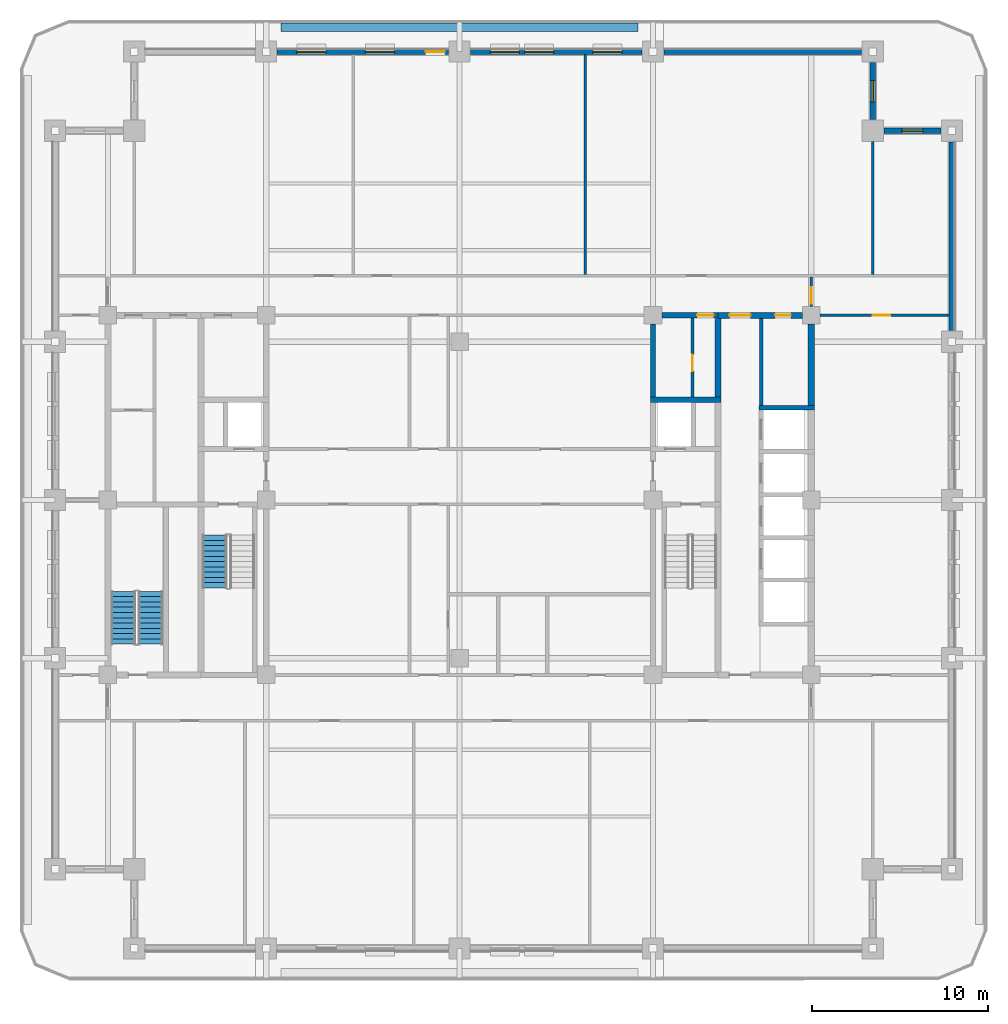
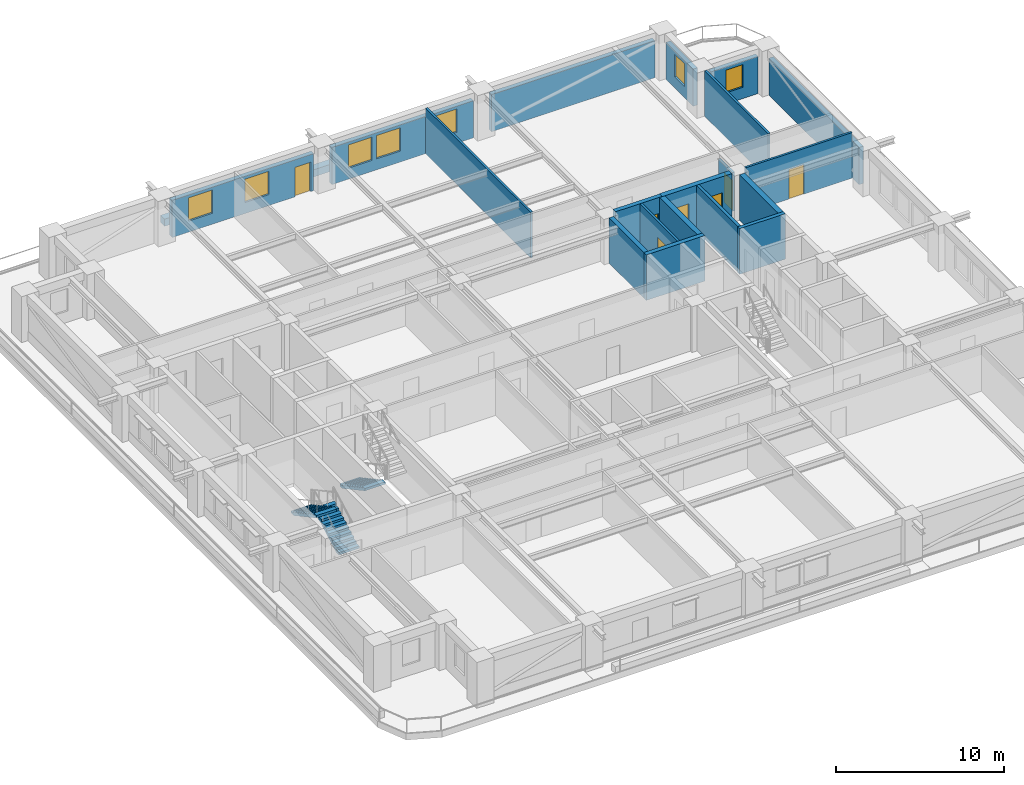
# One storey, part 6 of 14: 20 walls, 7 doors, 7 windows, 3 stair flights, 14 openings, 2 elements without a shape of their own.
"""IFC4 building model written with IfcOpenShell, lengths in metres."""

from ifc_helpers import new_model, si_unit, direction, frame, frame_2d, origin, place, context, subcontext, project, spatial, polyline, rectangle, outline, extrude, material, layer, layer_set, type_object, element, fill, aggregate, save


model = new_model("IFC4")

# Units and contexts
model_context = context("Model", 3, precision=1e-05, world=origin(), true_north=direction((0.0, 1.0)))
body_context = subcontext(model_context, "Body", "Model", "MODEL_VIEW")
ifc_project = project(units=[si_unit("LENGTHUNIT", "METRE"), si_unit("AREAUNIT", "SQUARE_METRE"), si_unit("VOLUMEUNIT", "CUBIC_METRE"), si_unit("PLANEANGLEUNIT", "RADIAN"), si_unit("MASSUNIT", "GRAM", prefix="KILO")], contexts=[model_context])

# Site, building, storey
site_placement = place(None, origin())
site = spatial("IfcSite", under=ifc_project, at=site_placement, CompositionType="ELEMENT")
building_placement = place(site_placement, origin())
building = spatial("IfcBuilding", under=site, at=building_placement, Name="Zulmaris Gate Convention Tower", CompositionType="ELEMENT")
storey_placement = place(building_placement, frame((0.0, 0.0, 98.5)))
storey = spatial("IfcBuildingStorey", under=building, at=storey_placement, Name="L24", CompositionType="ELEMENT", Elevation=98.5)

# Walls
ifc_material_1 = material(Name="Concrete C50/60", Category="concrete")
ifc_layer_1 = layer(ifc_material_1, 0.25, Name="Concrete C50/60")
ifc_layer_set_1 = layer_set([ifc_layer_1], Name="Concrete C50/60")
wall_type_1 = type_object("IfcWallType", Name="CORE-250", PredefinedType="SOLIDWALL", material=ifc_layer_set_1)
wall_1_placement = place(storey_placement, frame((17.02490234375, 5.25, 0.0), z_axis=(0.0, 0.0, 1.0), x_axis=(1.0, 0.0, 0.0)))
element("IfcWall", 1, at=wall_1_placement, inside=storey, type_object=wall_type_1, Name="WL-L24-014", PredefinedType="SOLIDWALL", context=body_context, shape_type="SweptSolid", body=[
    extrude(rectangle(XDim=3.150146484375, YDim=0.25, at=frame_2d((1.5751953125, 0.0))), origin(), (0.0, 0.0, 1.0), 3.31982421875),
])
ifc_layer_2 = layer(ifc_material_1, 0.300048828125, Name="Concrete C50/60")
ifc_layer_set_2 = layer_set([ifc_layer_2], Name="Concrete C50/60")
wall_type_2 = type_object("IfcWallType", Name="CORE-300", PredefinedType="SHEAR", material=ifc_layer_set_2)
wall_2_placement = place(storey_placement, frame((10.85009765625, 5.699951171875, 0.0), z_axis=(0.0, 0.0, 1.0), x_axis=(1.0, 0.0, 0.0)))
element("IfcWall", 2, at=wall_2_placement, inside=storey, type_object=wall_type_2, Name="WL-L24-016", PredefinedType="SHEAR", context=body_context, shape_type="SweptSolid", body=[
    extrude(rectangle(XDim=4.02490234375, YDim=0.300048828125, at=frame_2d((2.012451171875, 0.0))), origin(), (0.0, 0.0, 1.0), 3.31982421875),
])

# Wall, opening, door
wall_3_placement = place(storey_placement, frame((11.50390625, 10.5, 0.0), z_axis=(0.0, 0.0, 1.0), x_axis=(1.0, 0.0, 0.0)))
wall_3 = element("IfcWall", 3, at=wall_3_placement, inside=storey, type_object=wall_type_2, Name="WL-L24-019", PredefinedType="SHEAR", context=body_context, shape_type="SweptSolid", body=[
    extrude(rectangle(XDim=3.196044921875, YDim=0.300048828125, at=frame_2d((1.59814453125, 0.0))), origin(), (0.0, 0.0, 1.0), 3.31982421875),
])
opening_1_placement = place(wall_3_placement, frame((2.0009765625, 0.0, 0.0)))
opening_1 = element("IfcOpeningElement", 4, at=opening_1_placement, cuts=wall_3, Name="Opening D-11", PredefinedType="OPENING", context=body_context, shape_type="SweptSolid", body=[
    extrude(rectangle(XDim=0.949951171875, YDim=2.14990234375, at=frame_2d((0.47509765625, 1.074951171875))), frame((0.0, 0.16015625, 0.0), z_axis=(0.0, -1.0, 0.0), x_axis=(1.0, 0.0, 0.0)), (0.0, 0.0, 1.0), 0.320068359375),
])
ifc_material_2 = material(Name="Fire-Rated Timber", Category="wood")
door_type_1 = type_object("IfcDoorType", Name="DR-950-FD", OperationType="NOTDEFINED", PredefinedType="DOOR", material=ifc_material_2)
door_1_placement = place(opening_1_placement, origin())
door_1 = element("IfcDoor", 5, at=door_1_placement, inside=storey, type_object=door_type_1, Name="L24 Core Linen Closet Door 08", OperationType="SINGLE_SWING_LEFT", OverallHeight=2.14990234375, OverallWidth=0.949951171875, PredefinedType="DOOR", context=body_context, shape_type="SweptSolid", body=[
    extrude(rectangle(XDim=0.949951171875, YDim=2.14990234375, at=frame_2d((0.47509765625, 1.074951171875))), frame((0.0, 0.02490234375, 0.0), z_axis=(0.0, -1.0, 0.0), x_axis=(1.0, 0.0, 0.0)), (0.0, 0.0, 1.0), 0.050048828125),
])
fill(opening_1, door_1)

# Wall
wall_4_placement = place(storey_placement, frame((11.0, 5.85205078125, 0.0), z_axis=(0.0, 0.0, 1.0), x_axis=(0.0, 1.0, 0.0)))
element("IfcWall", 6, at=wall_4_placement, inside=storey, type_object=wall_type_2, Name="WL-L24-050", PredefinedType="SHEAR", context=body_context, shape_type="SweptSolid", body=[
    extrude(rectangle(XDim=4.14404296875, YDim=0.300048828125, at=frame_2d((2.072021484375, 0.0))), origin(), (0.0, 0.0, 1.0), 3.31982421875),
])

# Wall, openings, doors
ifc_material_3 = material(Name="Concrete C55/67", Category="concrete")
ifc_layer_3 = layer(ifc_material_3, 0.35009765625, Name="Concrete C55/67")
ifc_layer_set_3 = layer_set([ifc_layer_3], Name="Concrete C55/67")
wall_type_3 = type_object("IfcWallType", Name="CORE-350", PredefinedType="SHEAR", material=ifc_layer_set_3)
wall_5_placement = place(storey_placement, frame((14.699951171875, 10.5, 0.0), z_axis=(0.0, 0.0, 1.0), x_axis=(1.0, 0.0, 0.0)))
wall_5 = element("IfcWall", 7, at=wall_5_placement, inside=storey, type_object=wall_type_3, Name="WL-L24-020", PredefinedType="SHEAR", context=body_context, shape_type="SweptSolid", body=[
    extrude(rectangle(XDim=4.796142578125, YDim=0.35009765625, at=frame_2d((2.39794921875, 0.0))), origin(), (0.0, 0.0, 1.0), 3.31982421875),
])
opening_2_placement = place(wall_5_placement, frame((0.64990234375, 0.0, 0.0)))
opening_2 = element("IfcOpeningElement", 8, at=opening_2_placement, cuts=wall_5, Name="Opening D-13", PredefinedType="OPENING", context=body_context, shape_type="SweptSolid", body=[
    extrude(rectangle(XDim=1.199951171875, YDim=2.14990234375, at=frame_2d((0.60009765625, 1.074951171875))), frame((0.0, 0.18505859375, 0.0), z_axis=(0.0, -1.0, 0.0), x_axis=(1.0, 0.0, 0.0)), (0.0, 0.0, 1.0), 0.3701171875),
])
opening_3_placement = place(wall_5_placement, frame((3.25, 0.0, 0.0)))
opening_3 = element("IfcOpeningElement", 9, at=opening_3_placement, cuts=wall_5, Name="Opening D-12", PredefinedType="OPENING", context=body_context, shape_type="SweptSolid", body=[
    extrude(rectangle(XDim=0.89990234375, YDim=2.14990234375, at=frame_2d((0.449951171875, 1.074951171875))), frame((0.0, 0.18505859375, 0.0), z_axis=(0.0, -1.0, 0.0), x_axis=(1.0, 0.0, 0.0)), (0.0, 0.0, 1.0), 0.3701171875),
])
ifc_material_4 = material(Name="Fire-Rated Steel", Category="steel")
door_type_2 = type_object("IfcDoorType", Name="DR-1200-FD", OperationType="NOTDEFINED", PredefinedType="DOOR", material=ifc_material_4)
door_2_placement = place(opening_2_placement, origin())
door_2 = element("IfcDoor", 10, at=door_2_placement, inside=storey, type_object=door_type_2, Name="L24 East Lift Lobby North Door 19", OperationType="SINGLE_SWING_RIGHT", OverallHeight=2.14990234375, OverallWidth=1.199951171875, PredefinedType="DOOR", context=body_context, shape_type="SweptSolid", body=[
    extrude(rectangle(XDim=1.199951171875, YDim=2.14990234375, at=frame_2d((0.60009765625, 1.074951171875))), frame((0.0, 0.02490234375, 0.0), z_axis=(0.0, -1.0, 0.0), x_axis=(1.0, 0.0, 0.0)), (0.0, 0.0, 1.0), 0.050048828125),
])
fill(opening_2, door_2)
door_type_3 = type_object("IfcDoorType", Name="DR-900-FD", OperationType="NOTDEFINED", PredefinedType="DOOR", material=ifc_material_2)
door_3_placement = place(opening_3_placement, origin())
door_3 = element("IfcDoor", 11, at=door_3_placement, inside=storey, type_object=door_type_3, Name="L24 Mid-Rise Archive Door 20", OperationType="SINGLE_SWING_LEFT", OverallHeight=2.14990234375, OverallWidth=0.89990234375, PredefinedType="DOOR", context=body_context, shape_type="SweptSolid", body=[
    extrude(rectangle(XDim=0.89990234375, YDim=2.14990234375, at=frame_2d((0.449951171875, 1.074951171875))), frame((0.0, 0.02490234375, 0.0), z_axis=(0.0, -1.0, 0.0), x_axis=(1.0, 0.0, 0.0)), (0.0, 0.0, 1.0), 0.050048828125),
])
fill(opening_3, door_3)

# Walls
wall_6_placement = place(storey_placement, frame((14.699951171875, 5.85205078125, 0.0), z_axis=(0.0, 0.0, 1.0), x_axis=(0.0, 1.0, 0.0)))
element("IfcWall", 12, at=wall_6_placement, inside=storey, type_object=wall_type_3, Name="WL-L24-056", PredefinedType="SHEAR", context=body_context, shape_type="SweptSolid", body=[
    extrude(rectangle(XDim=4.470947265625, YDim=0.35009765625, at=frame_2d((2.2353515625, 0.0))), origin(), (0.0, 0.0, 1.0), 3.31982421875),
])
wall_7_placement = place(storey_placement, frame((20.0, 5.376953125, 0.0), z_axis=(0.0, 0.0, 1.0), x_axis=(0.0, 1.0, 0.0)))
element("IfcWall", 13, at=wall_7_placement, inside=storey, type_object=wall_type_3, Name="WL-L24-068", PredefinedType="SHEAR", context=body_context, shape_type="SweptSolid", body=[
    extrude(rectangle(XDim=4.619140625, YDim=0.35009765625, at=frame_2d((2.3095703125, 0.0))), origin(), (0.0, 0.0, 1.0), 3.31982421875),
])

# Wall, opening, door
ifc_material_5 = material(Name="Gypsum Metal Stud Partition")
ifc_layer_4 = layer(ifc_material_5, 0.14990234375, Name="Gypsum Metal Stud Partition")
ifc_layer_set_4 = layer_set([ifc_layer_4], Name="Gypsum Metal Stud Partition")
wall_type_4 = type_object("IfcWallType", Name="PART-150", PredefinedType="PARTITIONING", material=ifc_layer_set_4)
wall_8_placement = place(storey_placement, frame((20.506103515625, 10.5, 0.0), z_axis=(0.0, 0.0, 1.0), x_axis=(1.0, 0.0, 0.0)))
wall_8 = element("IfcWall", 14, at=wall_8_placement, inside=storey, type_object=wall_type_4, Name="WL-L24-032", PredefinedType="PARTITIONING", context=body_context, shape_type="SweptSolid", body=[
    extrude(rectangle(XDim=7.328857421875, YDim=0.14990234375, at=frame_2d((3.66455078125, 0.0))), origin(), (0.0, 0.0, 1.0), 3.31982421875),
])
opening_4_placement = place(wall_8_placement, frame((2.993896484375, 0.0, 0.0)))
opening_4 = element("IfcOpeningElement", 15, at=opening_4_placement, cuts=wall_8, Name="Opening D-10", PredefinedType="OPENING", context=body_context, shape_type="SweptSolid", body=[
    extrude(rectangle(XDim=1.0, YDim=2.14990234375, at=frame_2d((0.5, 1.074951171875))), frame((0.0, 0.0849609375, 0.0), z_axis=(0.0, -1.0, 0.0), x_axis=(1.0, 0.0, 0.0)), (0.0, 0.0, 1.0), 0.169921875),
])
door_type_4 = type_object("IfcDoorType", Name="DR-1000-FD", OperationType="NOTDEFINED", PredefinedType="DOOR", material=ifc_material_2)
door_4_placement = place(opening_4_placement, origin())
door_4 = element("IfcDoor", 16, at=door_4_placement, inside=storey, type_object=door_type_4, Name="L24 East Workplace North Door 45", OperationType="SINGLE_SWING_RIGHT", OverallHeight=2.14990234375, OverallWidth=1.0, PredefinedType="DOOR", context=body_context, shape_type="SweptSolid", body=[
    extrude(rectangle(XDim=1.0, YDim=2.14990234375, at=frame_2d((0.5, 1.074951171875))), frame((0.0, 0.02490234375, 0.0), z_axis=(0.0, -1.0, 0.0), x_axis=(1.0, 0.0, 0.0)), (0.0, 0.0, 1.0), 0.050048828125),
])
fill(opening_4, door_4)

# Wall
wall_9_placement = place(storey_placement, frame((7.14990234375, 12.827880859375, 0.0), z_axis=(0.0, 0.0, 1.0), x_axis=(0.0, 1.0, 0.0)))
element("IfcWall", 17, at=wall_9_placement, inside=storey, type_object=wall_type_4, Name="WL-L24-085", PredefinedType="PARTITIONING", context=body_context, shape_type="SweptSolid", body=[
    extrude(rectangle(XDim=12.507080078125, YDim=0.14990234375, at=frame_2d((6.25341796875, 0.0))), origin(), (0.0, 0.0, 1.0), 3.31982421875),
])

# Wall, opening, door
wall_10_placement = place(storey_placement, frame((13.25, 5.85302734375, 0.0), z_axis=(0.0, 0.0, 1.0), x_axis=(0.0, 1.0, 0.0)))
wall_10 = element("IfcWall", 18, at=wall_10_placement, inside=storey, type_object=wall_type_4, Name="WL-L24-087", PredefinedType="PARTITIONING", context=body_context, shape_type="SweptSolid", body=[
    extrude(rectangle(XDim=4.493896484375, YDim=0.14990234375, at=frame_2d((2.2470703125, 0.0))), origin(), (0.0, 0.0, 1.0), 3.31982421875),
])
opening_5_placement = place(wall_10_placement, frame((1.471923828125, 0.0, 0.0)))
opening_5 = element("IfcOpeningElement", 19, at=opening_5_placement, cuts=wall_10, Name="Opening D-11", PredefinedType="OPENING", context=body_context, shape_type="SweptSolid", body=[
    extrude(rectangle(XDim=0.949951171875, YDim=2.14990234375, at=frame_2d((0.47509765625, 1.074951171875))), frame((0.0, 0.0849609375, 0.0), z_axis=(0.0, -1.0, 0.0), x_axis=(1.0, 0.0, 0.0)), (0.0, 0.0, 1.0), 0.169921875),
])
door_5_placement = place(opening_5_placement, origin())
door_5 = element("IfcDoor", 20, at=door_5_placement, inside=storey, type_object=door_type_1, Name="L24 Core Service Pantry Door 09", OperationType="SINGLE_SWING_RIGHT", OverallHeight=2.14990234375, OverallWidth=0.949951171875, PredefinedType="DOOR", context=body_context, shape_type="SweptSolid", body=[
    extrude(rectangle(XDim=0.949951171875, YDim=2.14990234375, at=frame_2d((0.47509765625, 1.074951171875))), frame((0.0, 0.02490234375, 0.0), z_axis=(0.0, -1.0, 0.0), x_axis=(1.0, 0.0, 0.0)), (0.0, 0.0, 1.0), 0.050048828125),
])
fill(opening_5, door_5)

wall_11_placement = place(storey_placement, frame((20.0, 11.006103515625, 0.0), z_axis=(0.0, 0.0, 1.0), x_axis=(0.0, 1.0, 0.0)))
wall_11 = element("IfcWall", 21, at=wall_11_placement, inside=storey, type_object=wall_type_4, Name="WL-L24-090", PredefinedType="PARTITIONING", context=body_context, shape_type="SweptSolid", body=[
    extrude(rectangle(XDim=1.666015625, YDim=0.14990234375, at=frame_2d((0.8330078125, 0.0))), origin(), (0.0, 0.0, 1.0), 2.809814453125),
])
opening_6_placement = place(wall_11_placement, frame((0.14990234375, 0.0, 0.0)))
opening_6 = element("IfcOpeningElement", 22, at=opening_6_placement, cuts=wall_11, Name="Opening D-11", PredefinedType="OPENING", context=body_context, shape_type="SweptSolid", body=[
    extrude(rectangle(XDim=0.949951171875, YDim=2.14990234375, at=frame_2d((0.47509765625, 1.074951171875))), frame((0.0, 0.0849609375, 0.0), z_axis=(0.0, -1.0, 0.0), x_axis=(1.0, 0.0, 0.0)), (0.0, 0.0, 1.0), 0.169921875),
])
door_6_placement = place(opening_6_placement, origin())
door_6 = element("IfcDoor", 23, at=door_6_placement, inside=storey, type_object=door_type_1, Name="L24 NE Spur Door 43", OperationType="SINGLE_SWING_RIGHT", OverallHeight=2.14990234375, OverallWidth=0.949951171875, PredefinedType="DOOR", context=body_context, shape_type="SweptSolid", body=[
    extrude(rectangle(XDim=0.949951171875, YDim=2.14990234375, at=frame_2d((0.47509765625, 1.074951171875))), frame((0.0, 0.02490234375, 0.0), z_axis=(0.0, -1.0, 0.0), x_axis=(1.0, 0.0, 0.0)), (0.0, 0.0, 1.0), 0.050048828125),
])
fill(opening_6, door_6)

# Walls
wall_12_placement = place(storey_placement, frame((23.5, 12.827880859375, 0.0), z_axis=(0.0, 0.0, 1.0), x_axis=(0.0, 1.0, 0.0)))
element("IfcWall", 24, at=wall_12_placement, inside=storey, type_object=wall_type_4, Name="WL-L24-092", PredefinedType="PARTITIONING", context=body_context, shape_type="SweptSolid", body=[
    extrude(rectangle(XDim=7.566162109375, YDim=0.14990234375, at=frame_2d((3.783203125, 0.0))), origin(), (0.0, 0.0, 1.0), 3.31982421875),
])
ifc_material_6 = material(Name="Autoclaved Aerated Concrete Block and Plasterboard", Category="concrete")
ifc_layer_5 = layer(ifc_material_6, 0.199951171875, Name="Autoclaved Aerated Concrete Block and Plasterboard")
ifc_layer_set_5 = layer_set([ifc_layer_5], Name="Autoclaved Aerated Concrete Block and Plasterboard")
wall_type_5 = type_object("IfcWallType", Name="PART-200", PredefinedType="PARTITIONING", material=ifc_layer_set_5)
wall_13_placement = place(storey_placement, frame((17.14990234375, 5.3779296875, 0.0), z_axis=(0.0, 0.0, 1.0), x_axis=(0.0, 1.0, 0.0)))
element("IfcWall", 25, at=wall_13_placement, inside=storey, type_object=wall_type_5, Name="WL-L24-088", PredefinedType="PARTITIONING", context=body_context, shape_type="SweptSolid", body=[
    extrude(rectangle(XDim=4.944091796875, YDim=0.199951171875, at=frame_2d((2.47216796875, 0.0))), origin(), (0.0, 0.0, 1.0), 3.31982421875),
])
ifc_material_7 = material(Name="Botanical Green Glazed Precast Concrete C40/50", Category="concrete")
ifc_layer_6 = layer(ifc_material_7, 0.419921875, Name="Botanical Green Glazed Precast Concrete C40/50")
ifc_layer_set_6 = layer_set([ifc_layer_6], Name="Botanical Green Glazed Precast Concrete C40/50")
wall_type_6 = type_object("IfcWallType", Name="PLANTER-CURB-200", PredefinedType="PARAPET", material=ifc_layer_set_6)
wall_14_placement = place(storey_placement, frame((-10.14990234375, 26.8798828125, -0.0400390625), z_axis=(0.0, 0.0, 1.0), x_axis=(1.0, 0.0, 0.0)))
element("IfcWall", 26, at=wall_14_placement, inside=storey, type_object=wall_type_6, Name="L24 Full-Length Balcony Tree Planter Trough", PredefinedType="PARAPET", context=body_context, shape_type="SweptSolid", body=[
    extrude(rectangle(XDim=20.2998046875, YDim=0.47998046875, at=frame_2d((10.14990234375, 0.0))), origin(), (0.0, 0.0, 1.0), 0.52001953125),
])

# Wall, opening, window
ifc_material_8 = material(Name="Precast concrete C40/50", Category="concrete")
ifc_layer_7 = layer(ifc_material_8, 0.300048828125, Name="Precast concrete C40/50")
ifc_layer_set_7 = layer_set([ifc_layer_7], Name="Precast concrete C40/50")
wall_type_7 = type_object("IfcWallType", Name="PRECAST-PIER-300", PredefinedType="STANDARD", material=ifc_layer_set_7)
wall_15_placement = place(storey_placement, frame((27.3701171875, 21.0, 0.0), z_axis=(0.0, 0.0, 1.0), x_axis=(-1.0, 0.0, 0.0)))
wall_15 = element("IfcWall", 27, at=wall_15_placement, inside=storey, type_object=wall_type_7, Name="EW-L24-NOTCH-NE1_0", PredefinedType="STANDARD", context=body_context, shape_type="SweptSolid", body=[
    extrude(rectangle(XDim=3.240234375, YDim=0.300048828125, at=frame_2d((1.6201171875, 0.0))), origin(), (0.0, 0.0, 1.0), 2.7119140625),
])
opening_7_placement = place(wall_15_placement, frame((1.02001953125, 0.0, 0.820068359375)))
opening_7 = element("IfcOpeningElement", 28, at=opening_7_placement, cuts=wall_15, Name="Opening W-04", PredefinedType="OPENING", context=body_context, shape_type="SweptSolid", body=[
    extrude(rectangle(XDim=1.199951171875, YDim=1.64990234375, at=frame_2d((0.60009765625, 0.824951171875))), frame((0.0, 0.16015625, 0.0), z_axis=(0.0, -1.0, 0.0), x_axis=(1.0, 0.0, 0.0)), (0.0, 0.0, 1.0), 0.320068359375),
])
ifc_material_9 = material(Name="Low-E Laminated Double Glazing in Aluminium Frame", Category="aluminium")
window_type_1 = type_object("IfcWindowType", Name="WIN-1200x2100", PartitioningType="SINGLE_PANEL", PredefinedType="WINDOW", material=ifc_material_9)
window_1_placement = place(opening_7_placement, origin())
window_1 = element("IfcWindow", 29, at=window_1_placement, inside=storey, type_object=window_type_1, Name="WN-EW-L24-NOTCH-NE1_0", OverallHeight=1.64990234375, OverallWidth=1.199951171875, PartitioningType="SINGLE_PANEL", PredefinedType="WINDOW", context=body_context, shape_type="SweptSolid", body=[
    extrude(rectangle(XDim=1.199951171875, YDim=1.64990234375, at=frame_2d((0.60009765625, 0.824951171875))), frame((0.0, 0.030029296875, 0.0), z_axis=(0.0, -1.0, 0.0), x_axis=(1.0, 0.0, 0.0)), (0.0, 0.0, 1.0), 0.06005859375),
])
fill(opening_7, window_1)

wall_16_placement = place(storey_placement, frame((23.5, 21.6298828125, 0.0), z_axis=(0.0, 0.0, 1.0), x_axis=(0.0, 1.0, 0.0)))
wall_16 = element("IfcWall", 30, at=wall_16_placement, inside=storey, type_object=wall_type_7, Name="EW-L24-NOTCH-NE2_0", PredefinedType="STANDARD", context=body_context, shape_type="SweptSolid", body=[
    extrude(rectangle(XDim=3.240234375, YDim=0.300048828125, at=frame_2d((1.6201171875, 0.0))), origin(), (0.0, 0.0, 1.0), 2.7119140625),
])
opening_8_placement = place(wall_16_placement, frame((1.02001953125, 0.0, 0.820068359375)))
opening_8 = element("IfcOpeningElement", 31, at=opening_8_placement, cuts=wall_16, Name="Opening W-04", PredefinedType="OPENING", context=body_context, shape_type="SweptSolid", body=[
    extrude(rectangle(XDim=1.199951171875, YDim=1.64990234375, at=frame_2d((0.60009765625, 0.824951171875))), frame((0.0, 0.16015625, 0.0), z_axis=(0.0, -1.0, 0.0), x_axis=(1.0, 0.0, 0.0)), (0.0, 0.0, 1.0), 0.320068359375),
])
window_2_placement = place(opening_8_placement, origin())
window_2 = element("IfcWindow", 32, at=window_2_placement, inside=storey, type_object=window_type_1, Name="WN-EW-L24-NOTCH-NE2_0", OverallHeight=1.64990234375, OverallWidth=1.199951171875, PartitioningType="SINGLE_PANEL", PredefinedType="WINDOW", context=body_context, shape_type="SweptSolid", body=[
    extrude(rectangle(XDim=1.199951171875, YDim=1.64990234375, at=frame_2d((0.60009765625, 0.824951171875))), frame((0.0, 0.030029296875, 0.0), z_axis=(0.0, -1.0, 0.0), x_axis=(1.0, 0.0, 0.0)), (0.0, 0.0, 1.0), 0.06005859375),
])
fill(opening_8, window_2)

# Wall, openings, door, windows
wall_17_placement = place(storey_placement, frame((-0.6298828125, 25.5, 0.0), z_axis=(0.0, 0.0, 1.0), x_axis=(-1.0, 0.0, 0.0)))
wall_17 = element("IfcWall", 33, at=wall_17_placement, inside=storey, type_object=wall_type_7, Name="EW-L24-N-1_0", PredefinedType="STANDARD", context=body_context, shape_type="SweptSolid", body=[
    extrude(rectangle(XDim=9.740234375, YDim=0.300048828125, at=frame_2d((4.8701171875, 0.0))), origin(), (0.0, 0.0, 1.0), 2.7119140625),
])
opening_9_placement = place(wall_17_placement, frame((0.199951171875, 0.0, 0.0)))
opening_9 = element("IfcOpeningElement", 34, at=opening_9_placement, cuts=wall_17, Name="Opening D-04", PredefinedType="OPENING", context=body_context, shape_type="SweptSolid", body=[
    extrude(rectangle(XDim=1.10009765625, YDim=2.14990234375, at=frame_2d((0.550048828125, 1.074951171875))), frame((0.0, 0.16015625, 0.0), z_axis=(0.0, -1.0, 0.0), x_axis=(1.0, 0.0, 0.0)), (0.0, 0.0, 1.0), 0.320068359375),
])
opening_10_placement = place(wall_17_placement, frame((3.071044921875, 0.0, 0.800048828125)))
opening_10 = element("IfcOpeningElement", 35, at=opening_10_placement, cuts=wall_17, Name="Opening W-08", PredefinedType="OPENING", context=body_context, shape_type="SweptSolid", body=[
    extrude(rectangle(XDim=1.64990234375, YDim=1.699951171875, at=frame_2d((0.824951171875, 0.85009765625))), frame((0.0, 0.16015625, 0.0), z_axis=(0.0, -1.0, 0.0), x_axis=(1.0, 0.0, 0.0)), (0.0, 0.0, 1.0), 0.320068359375),
])
opening_11_placement = place(wall_17_placement, frame((6.967041015625, 0.0, 0.800048828125)))
opening_11 = element("IfcOpeningElement", 36, at=opening_11_placement, cuts=wall_17, Name="Opening W-08", PredefinedType="OPENING", context=body_context, shape_type="SweptSolid", body=[
    extrude(rectangle(XDim=1.64990234375, YDim=1.699951171875, at=frame_2d((0.824951171875, 0.85009765625))), frame((0.0, 0.16015625, 0.0), z_axis=(0.0, -1.0, 0.0), x_axis=(1.0, 0.0, 0.0)), (0.0, 0.0, 1.0), 0.320068359375),
])
ifc_material_10 = material(Name="Anodised Aluminium and Laminated Glass", Category="aluminium")
door_type_5 = type_object("IfcDoorType", Name="ED-1100", OperationType="SINGLE_SWING_RIGHT", PredefinedType="DOOR", material=ifc_material_10)
door_7_placement = place(opening_9_placement, origin())
door_7 = element("IfcDoor", 37, at=door_7_placement, inside=storey, type_object=door_type_5, Name="L24 N Planted Terrace Door", OperationType="SINGLE_SWING_LEFT", OverallHeight=2.14990234375, OverallWidth=1.10009765625, PredefinedType="DOOR", context=body_context, shape_type="SweptSolid", body=[
    extrude(rectangle(XDim=1.10009765625, YDim=2.14990234375, at=frame_2d((0.550048828125, 1.074951171875))), frame((0.0, 0.02490234375, 0.0), z_axis=(0.0, -1.0, 0.0), x_axis=(1.0, 0.0, 0.0)), (0.0, 0.0, 1.0), 0.050048828125),
])
fill(opening_9, door_7)
window_type_2 = type_object("IfcWindowType", Name="WIN-1650x2150", PartitioningType="SINGLE_PANEL", PredefinedType="WINDOW", material=ifc_material_9)
window_3_placement = place(opening_10_placement, origin())
window_3 = element("IfcWindow", 38, at=window_3_placement, inside=storey, type_object=window_type_2, Name="WN-EW-L24-N-1_0-2", OverallHeight=1.699951171875, OverallWidth=1.64990234375, PartitioningType="SINGLE_PANEL", PredefinedType="WINDOW", context=body_context, shape_type="SweptSolid", body=[
    extrude(rectangle(XDim=1.64990234375, YDim=1.699951171875, at=frame_2d((0.824951171875, 0.85009765625))), frame((0.0, 0.030029296875, 0.0), z_axis=(0.0, -1.0, 0.0), x_axis=(1.0, 0.0, 0.0)), (0.0, 0.0, 1.0), 0.06005859375),
])
fill(opening_10, window_3)
window_4_placement = place(opening_11_placement, origin())
window_4 = element("IfcWindow", 39, at=window_4_placement, inside=storey, type_object=window_type_2, Name="WN-EW-L24-N-1_0-4", OverallHeight=1.699951171875, OverallWidth=1.64990234375, PartitioningType="SINGLE_PANEL", PredefinedType="WINDOW", context=body_context, shape_type="SweptSolid", body=[
    extrude(rectangle(XDim=1.64990234375, YDim=1.699951171875, at=frame_2d((0.824951171875, 0.85009765625))), frame((0.0, 0.030029296875, 0.0), z_axis=(0.0, -1.0, 0.0), x_axis=(1.0, 0.0, 0.0)), (0.0, 0.0, 1.0), 0.06005859375),
])
fill(opening_11, window_4)

# Wall, openings, windows
wall_18_placement = place(storey_placement, frame((10.3701171875, 25.5, 0.0), z_axis=(0.0, 0.0, 1.0), x_axis=(-1.0, 0.0, 0.0)))
wall_18 = element("IfcWall", 40, at=wall_18_placement, inside=storey, type_object=wall_type_7, Name="EW-L24-N-2_0", PredefinedType="STANDARD", context=body_context, shape_type="SweptSolid", body=[
    extrude(rectangle(XDim=9.740234375, YDim=0.300048828125, at=frame_2d((4.8701171875, 0.0))), origin(), (0.0, 0.0, 1.0), 2.7119140625),
])
opening_12_placement = place(wall_18_placement, frame((1.123046875, 0.0, 0.800048828125)))
opening_12 = element("IfcOpeningElement", 41, at=opening_12_placement, cuts=wall_18, Name="Opening W-08", PredefinedType="OPENING", context=body_context, shape_type="SweptSolid", body=[
    extrude(rectangle(XDim=1.64990234375, YDim=1.699951171875, at=frame_2d((0.824951171875, 0.85009765625))), frame((0.0, 0.16015625, 0.0), z_axis=(0.0, -1.0, 0.0), x_axis=(1.0, 0.0, 0.0)), (0.0, 0.0, 1.0), 0.320068359375),
])
opening_13_placement = place(wall_18_placement, frame((5.01904296875, 0.0, 0.800048828125)))
opening_13 = element("IfcOpeningElement", 42, at=opening_13_placement, cuts=wall_18, Name="Opening W-08", PredefinedType="OPENING", context=body_context, shape_type="SweptSolid", body=[
    extrude(rectangle(XDim=1.64990234375, YDim=1.699951171875, at=frame_2d((0.824951171875, 0.85009765625))), frame((0.0, 0.16015625, 0.0), z_axis=(0.0, -1.0, 0.0), x_axis=(1.0, 0.0, 0.0)), (0.0, 0.0, 1.0), 0.320068359375),
])
opening_14_placement = place(wall_18_placement, frame((6.967041015625, 0.0, 0.800048828125)))
opening_14 = element("IfcOpeningElement", 43, at=opening_14_placement, cuts=wall_18, Name="Opening W-08", PredefinedType="OPENING", context=body_context, shape_type="SweptSolid", body=[
    extrude(rectangle(XDim=1.64990234375, YDim=1.699951171875, at=frame_2d((0.824951171875, 0.85009765625))), frame((0.0, 0.16015625, 0.0), z_axis=(0.0, -1.0, 0.0), x_axis=(1.0, 0.0, 0.0)), (0.0, 0.0, 1.0), 0.320068359375),
])
window_5_placement = place(opening_12_placement, origin())
window_5 = element("IfcWindow", 44, at=window_5_placement, inside=storey, type_object=window_type_2, Name="WN-EW-L24-N-2_0-1", OverallHeight=1.699951171875, OverallWidth=1.64990234375, PartitioningType="SINGLE_PANEL", PredefinedType="WINDOW", context=body_context, shape_type="SweptSolid", body=[
    extrude(rectangle(XDim=1.64990234375, YDim=1.699951171875, at=frame_2d((0.824951171875, 0.85009765625))), frame((0.0, 0.030029296875, 0.0), z_axis=(0.0, -1.0, 0.0), x_axis=(1.0, 0.0, 0.0)), (0.0, 0.0, 1.0), 0.06005859375),
])
fill(opening_12, window_5)
window_6_placement = place(opening_13_placement, origin())
window_6 = element("IfcWindow", 45, at=window_6_placement, inside=storey, type_object=window_type_2, Name="WN-EW-L24-N-2_0-3", OverallHeight=1.699951171875, OverallWidth=1.64990234375, PartitioningType="SINGLE_PANEL", PredefinedType="WINDOW", context=body_context, shape_type="SweptSolid", body=[
    extrude(rectangle(XDim=1.64990234375, YDim=1.699951171875, at=frame_2d((0.824951171875, 0.85009765625))), frame((0.0, 0.030029296875, 0.0), z_axis=(0.0, -1.0, 0.0), x_axis=(1.0, 0.0, 0.0)), (0.0, 0.0, 1.0), 0.06005859375),
])
fill(opening_13, window_6)
window_7_placement = place(opening_14_placement, origin())
window_7 = element("IfcWindow", 46, at=window_7_placement, inside=storey, type_object=window_type_2, Name="WN-EW-L24-N-2_0-4", OverallHeight=1.699951171875, OverallWidth=1.64990234375, PartitioningType="SINGLE_PANEL", PredefinedType="WINDOW", context=body_context, shape_type="SweptSolid", body=[
    extrude(rectangle(XDim=1.64990234375, YDim=1.699951171875, at=frame_2d((0.824951171875, 0.85009765625))), frame((0.0, 0.030029296875, 0.0), z_axis=(0.0, -1.0, 0.0), x_axis=(1.0, 0.0, 0.0)), (0.0, 0.0, 1.0), 0.06005859375),
])
fill(opening_14, window_7)

# Walls
wall_19_placement = place(storey_placement, frame((22.8701171875, 25.5, 0.0), z_axis=(0.0, 0.0, 1.0), x_axis=(-1.0, 0.0, 0.0)))
element("IfcWall", 47, at=wall_19_placement, inside=storey, type_object=wall_type_7, Name="EW-L24-N-3_0", PredefinedType="STANDARD", context=body_context, shape_type="SweptSolid", body=[
    extrude(rectangle(XDim=11.240234375, YDim=0.300048828125, at=frame_2d((5.6201171875, 0.0))), origin(), (0.0, 0.0, 1.0), 2.7119140625),
])
wall_20_placement = place(storey_placement, frame((28.0, 9.6298828125, 0.0), z_axis=(0.0, 0.0, 1.0), x_axis=(0.0, 1.0, 0.0)))
element("IfcWall", 48, at=wall_20_placement, inside=storey, type_object=wall_type_7, Name="EW-L24-E-3_0", PredefinedType="STANDARD", context=body_context, shape_type="SweptSolid", body=[
    extrude(rectangle(XDim=10.740234375, YDim=0.300048828125, at=frame_2d((5.3701171875, 0.0))), origin(), (0.0, 0.0, 1.0), 2.7119140625),
])

# Stair, stair flight
ifc_material_11 = material(Name="Concrete C45/55", Category="concrete")
stair_type = type_object("IfcStairType", Name="ST-CORE-DOGLEG", PredefinedType="HALF_TURN_STAIR", material=ifc_material_11)
stair_1_placement = place(storey_placement, origin())
stair_1 = element("IfcStair", 49, at=stair_1_placement, inside=storey, type_object=stair_type, Name="L24 Core Exit Stair ST-1", PredefinedType="HALF_TURN_STAIR")
ifc_layer_8 = layer(ifc_material_11, 0.14990234375, Name="Concrete C45/55")
ifc_layer_set_8 = layer_set([ifc_layer_8], Name="Concrete C45/55")
stair_flight_type = type_object("IfcStairFlightType", Name="STF-RC150", PredefinedType="STRAIGHT", material=ifc_layer_set_8)
stair_flight_1_placement = place(storey_placement, frame((-13.919921875, -2.0, 0.0), z_axis=(0.0, 0.0, 1.0), x_axis=(0.0, -1.0, 0.0)))
stair_flight_1 = element("IfcStairFlight", 50, at=stair_flight_1_placement, type_object=stair_flight_type, Name="ST-1 flight 1", NumberOfRisers=11, NumberOfTreads=10, PredefinedType="STRAIGHT", RiserHeight=0.162263636, TreadLength=0.3, context=body_context, shape_type="SweptSolid", body=[
    extrude(outline(polyline([(0.0, 0.0), (0.0, 0.162353515625), (0.300048828125, 0.162353515625), (0.300048828125, 0.324462890625), (0.60009765625, 0.324462890625), (0.60009765625, 0.48681640625), (0.89990234375, 0.48681640625), (0.89990234375, 0.649169921875), (1.199951171875, 0.649169921875), (1.199951171875, 0.811279296875), (1.5, 0.811279296875), (1.5, 0.9736328125), (1.800048828125, 0.9736328125), (1.800048828125, 1.1357421875), (2.10009765625, 1.1357421875), (2.10009765625, 1.298095703125), (2.39990234375, 1.298095703125), (2.39990234375, 1.46044921875), (2.699951171875, 1.46044921875), (2.699951171875, 1.62255859375), (3.0, 1.62255859375), (3.0, 1.784912109375), (3.0, 1.4521484375), (0.315185546875, 0.0), (0.0, 0.0)])), frame((0.0, 0.699951171875, 0.0), z_axis=(0.0, -1.0, 0.0), x_axis=(1.0, 0.0, 0.0)), (0.0, 0.0, 1.0), 1.39990234375),
])
aggregate(stair_1, [stair_flight_1])

# Stair, stair flights
stair_2_placement = place(storey_placement, origin())
stair_2 = element("IfcStair", 51, at=stair_2_placement, inside=storey, type_object=stair_type, Name="L24 Core Exit Stair ST-3", PredefinedType="HALF_TURN_STAIR")
stair_flight_2_placement = place(storey_placement, frame((-17.56005859375, -8.199951171875, 0.0), z_axis=(0.0, 0.0, 1.0), x_axis=(0.0, 1.0, 0.0)))
stair_flight_2 = element("IfcStairFlight", 52, at=stair_flight_2_placement, type_object=stair_flight_type, Name="ST-3 flight 1", NumberOfRisers=11, NumberOfTreads=10, PredefinedType="STRAIGHT", RiserHeight=0.162263636, TreadLength=0.3, context=body_context, shape_type="SweptSolid", body=[
    extrude(outline(polyline([(0.0, 0.0), (0.0, 0.162353515625), (0.300048828125, 0.162353515625), (0.300048828125, 0.324462890625), (0.60009765625, 0.324462890625), (0.60009765625, 0.48681640625), (0.89990234375, 0.48681640625), (0.89990234375, 0.649169921875), (1.199951171875, 0.649169921875), (1.199951171875, 0.811279296875), (1.5, 0.811279296875), (1.5, 0.9736328125), (1.800048828125, 0.9736328125), (1.800048828125, 1.1357421875), (2.10009765625, 1.1357421875), (2.10009765625, 1.298095703125), (2.39990234375, 1.298095703125), (2.39990234375, 1.46044921875), (2.699951171875, 1.46044921875), (2.699951171875, 1.62255859375), (3.0, 1.62255859375), (3.0, 1.784912109375), (3.0, 1.4521484375), (0.315185546875, 0.0), (0.0, 0.0)])), frame((0.0, 0.699951171875, 0.0), z_axis=(0.0, -1.0, 0.0), x_axis=(1.0, 0.0, 0.0)), (0.0, 0.0, 1.0), 1.39990234375),
])
stair_flight_3_placement = place(storey_placement, frame((-19.1201171875, -5.199951171875, 1.784912109375), z_axis=(0.0, 0.0, 1.0), x_axis=(0.0, -1.0, 0.0)))
stair_flight_3 = element("IfcStairFlight", 53, at=stair_flight_3_placement, type_object=stair_flight_type, Name="ST-3 flight 2", NumberOfRisers=11, NumberOfTreads=10, PredefinedType="STRAIGHT", RiserHeight=0.162263636, TreadLength=0.3, context=body_context, shape_type="SweptSolid", body=[
    extrude(outline(polyline([(0.0, 0.0), (0.0, 0.162353515625), (0.300048828125, 0.162353515625), (0.300048828125, 0.324462890625), (0.60009765625, 0.324462890625), (0.60009765625, 0.48681640625), (0.89990234375, 0.48681640625), (0.89990234375, 0.649169921875), (1.199951171875, 0.649169921875), (1.199951171875, 0.811279296875), (1.5, 0.811279296875), (1.5, 0.9736328125), (1.800048828125, 0.9736328125), (1.800048828125, 1.1357421875), (2.10009765625, 1.1357421875), (2.10009765625, 1.298095703125), (2.39990234375, 1.298095703125), (2.39990234375, 1.46044921875), (2.699951171875, 1.46044921875), (2.699951171875, 1.62255859375), (3.0, 1.62255859375), (3.0, 1.784912109375), (3.0, 1.4521484375), (0.315185546875, 0.0), (0.0, 0.0)])), frame((0.0, 0.699951171875, 0.0), z_axis=(0.0, -1.0, 0.0), x_axis=(1.0, 0.0, 0.0)), (0.0, 0.0, 1.0), 1.39990234375),
])
aggregate(stair_2, [stair_flight_2, stair_flight_3])

save(model, "model.ifc")
